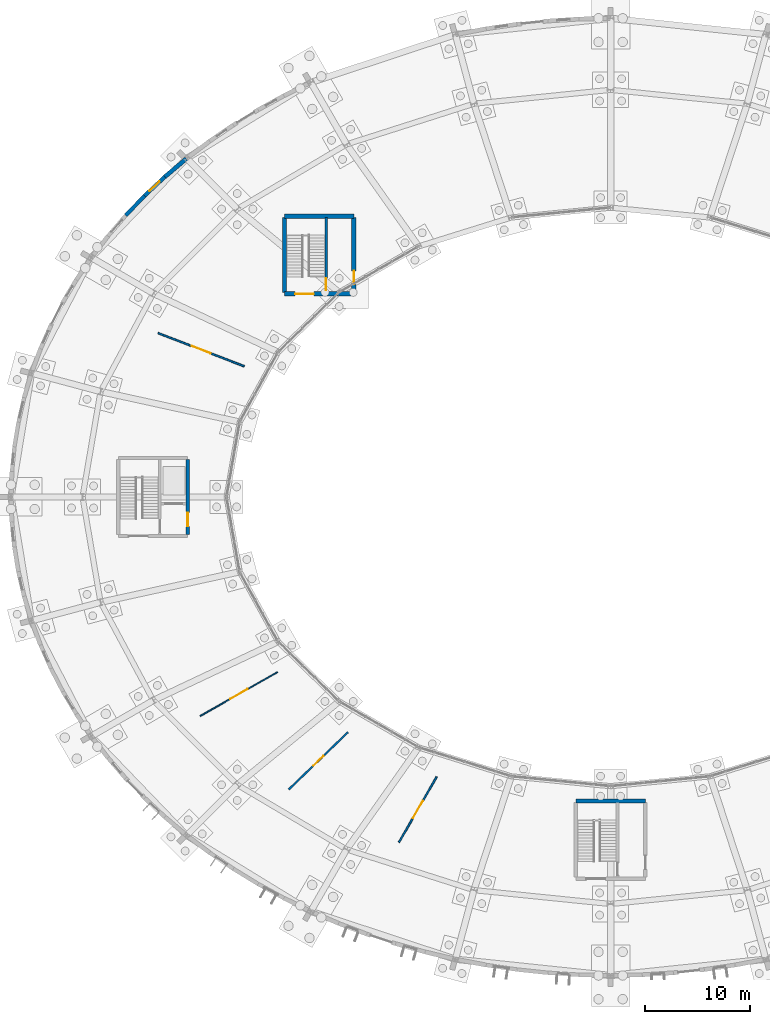
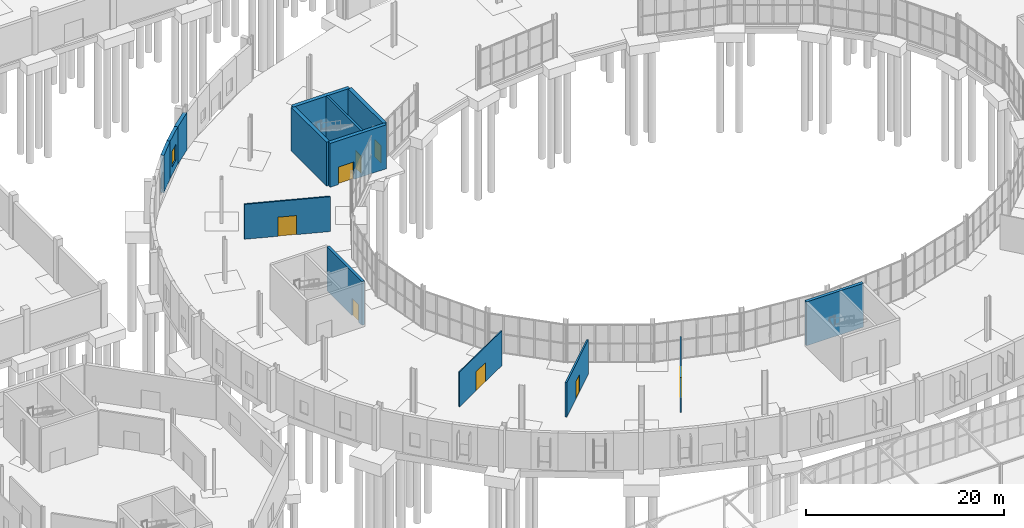
# One storey, part 89 of 118: 14 walls, 8 doors, 1 window, 9 openings.
"""IFC4 building model written with IfcOpenShell, lengths in metres."""

from ifc_helpers import new_model, si_unit, direction, frame, frame_2d, origin, place, context, subcontext, project, spatial, rectangle, extrude, material, layer, layer_set, type_object, element, fill, save


model = new_model("IFC4")

# Units and contexts
model_context = context("Model", 3, precision=1e-05, world=origin(), true_north=direction((0.0, 1.0)))
body_context = subcontext(model_context, "Body", "Model", "MODEL_VIEW")
ifc_project = project(units=[si_unit("LENGTHUNIT", "METRE"), si_unit("AREAUNIT", "SQUARE_METRE"), si_unit("VOLUMEUNIT", "CUBIC_METRE"), si_unit("PLANEANGLEUNIT", "RADIAN"), si_unit("MASSUNIT", "GRAM", prefix="KILO")], contexts=[model_context])

# Site, building, storey
site_placement = place(None, origin())
site = spatial("IfcSite", under=ifc_project, at=site_placement, CompositionType="ELEMENT")
building_placement = place(site_placement, origin())
building = spatial("IfcBuilding", under=site, at=building_placement, Name="Kildeholm Park Wholesale Market", CompositionType="ELEMENT")
storey_placement = place(building_placement, origin())
storey = spatial("IfcBuildingStorey", under=building, at=storey_placement, Name="L00", CompositionType="ELEMENT", Elevation=0.0)

# Wall, opening, window
ifc_material_1 = material(Name="Red Danish clinker brick masonry with Concrete C35/45 backing", Category="masonry")
ifc_layer_1 = layer(ifc_material_1, 0.360107421875)
ifc_layer_set_1 = layer_set([ifc_layer_1], Name="Red Danish clinker brick masonry with Concrete C35/45 backing")
wall_type_1 = type_object("IfcWallType", Name="Exterior wall W-EX1 360 mm", PredefinedType="SOLIDWALL", material=ifc_layer_set_1)
wall_1_placement = place(storey_placement, frame((56.6220703125, 119.928955078125, 0.0), z_axis=(0.0, 0.0, 1.0), x_axis=(-0.730238623616, -0.683192178366, 0.0)))
wall_1 = element("IfcWall", 1, at=wall_1_placement, inside=storey, type_object=wall_type_1, Name="Produce ring outer wall 10.2 WL-0073", PredefinedType="SOLIDWALL", context=body_context, shape_type="SweptSolid", body=[
    extrude(rectangle(XDim=2.63623046875, YDim=0.360107421875, at=frame_2d((1.318115234375, 0.0))), origin(), (0.0, 0.0, 1.0), 4.60009765625),
])
opening_1_placement = place(wall_1_placement, frame((0.66796875, 0.0, 0.949951171875)))
opening_1 = element("IfcOpeningElement", 2, at=opening_1_placement, cuts=wall_1, Name="Opening WN-20", PredefinedType="OPENING", context=body_context, shape_type="SweptSolid", body=[
    extrude(rectangle(XDim=1.300048828125, YDim=1.949951171875, at=frame_2d((0.64990234375, 0.97509765625))), frame((0.0, 0.18994140625, 0.0), z_axis=(0.0, -1.0, 0.0), x_axis=(1.0, 0.0, 0.0)), (0.0, 0.0, 1.0), 0.380126953125),
])
ifc_material_2 = material(Name="Thermally broken aluminium and triple-glazed low-E glass", Category="aluminium")
window_type = type_object("IfcWindowType", Name="Window WN-20 1300x1950", PartitioningType="DOUBLE_PANEL_VERTICAL", PredefinedType="WINDOW", material=ifc_material_2)
window_placement = place(opening_1_placement, origin())
window = element("IfcWindow", 3, at=window_placement, inside=storey, type_object=window_type, Name="Produce hall arcade window 10.1 WIN-0015", OverallHeight=1.949951171875, OverallWidth=1.300048828125, PartitioningType="SINGLE_PANEL", PredefinedType="WINDOW", context=body_context, shape_type="SweptSolid", body=[
    extrude(rectangle(XDim=1.300048828125, YDim=1.949951171875, at=frame_2d((0.64990234375, 0.97509765625))), frame((0.0, 0.030029296875, 0.0), z_axis=(0.0, -1.0, 0.0), x_axis=(1.0, 0.0, 0.0)), (0.0, 0.0, 1.0), 0.06005859375),
])
fill(opening_1, window)

# Walls
wall_2_placement = place(storey_placement, frame((54.697021484375, 118.1279296875, 0.0), z_axis=(0.0, 0.0, 1.0), x_axis=(-0.693149914462, -0.720793448972, 0.0)))
element("IfcWall", 4, at=wall_2_placement, inside=storey, type_object=wall_type_1, Name="Produce ring outer wall 10.3 WL-0074", PredefinedType="SOLIDWALL", context=body_context, shape_type="SweptSolid", body=[
    extrude(rectangle(XDim=2.60546875, YDim=0.360107421875, at=frame_2d((1.302734375, 0.0))), origin(), (0.0, 0.0, 1.0), 4.60009765625),
])
ifc_material_3 = material(Name="Bornholm granite stone plinth and Concrete C35/45 wall", Category="masonry")
ifc_layer_2 = layer(ifc_material_3, 0.39990234375)
ifc_layer_set_2 = layer_set([ifc_layer_2], Name="Bornholm granite stone plinth and Concrete C35/45 wall")
wall_type_2 = type_object("IfcWallType", Name="Exterior wall W-EX2 400 mm", PredefinedType="SOLIDWALL", material=ifc_layer_set_2)
wall_3_placement = place(storey_placement, frame((58.6630859375, 121.64794921875, 0.0), z_axis=(0.0, 0.0, 1.0), x_axis=(-0.76486611794, -0.644189274691, 0.0)))
element("IfcWall", 5, at=wall_3_placement, inside=storey, type_object=wall_type_2, Name="Produce ring outer wall 10.1 WL-0072", PredefinedType="SOLIDWALL", context=body_context, shape_type="SweptSolid", body=[
    extrude(rectangle(XDim=2.66845703125, YDim=0.39990234375, at=frame_2d((1.334228515625, 0.0))), origin(), (0.0, 0.0, 1.0), 4.60009765625),
])

# Wall, opening, door
ifc_material_4 = material(Name="Hygienic ceramic-tiled wet fish stall partition")
ifc_layer_3 = layer(ifc_material_4, 0.1650390625)
ifc_layer_set_3 = layer_set([ifc_layer_3], Name="Hygienic ceramic-tiled wet fish stall partition")
wall_type_3 = type_object("IfcWallType", Name="Partition W-PT05 165 mm", PredefinedType="PARTITIONING", material=ifc_layer_set_3)
wall_4_placement = place(storey_placement, frame((64.169921875, 101.91796875, 0.0), z_axis=(0.0, 0.0, 1.0), x_axis=(-0.933238808021, 0.359256631399, 0.0)))
wall_4 = element("IfcWall", 6, at=wall_4_placement, inside=storey, type_object=wall_type_3, Name="Interior partition W-V1-ST0-10 WL-0939", PredefinedType="PARTITIONING", context=body_context, shape_type="SweptSolid", body=[
    extrude(rectangle(XDim=8.7822265625, YDim=0.1650390625, at=frame_2d((4.39111328125, 0.0))), origin(), (0.0, 0.0, 1.0), 4.300048828125),
])
opening_2_placement = place(wall_4_placement, frame((3.44091796875, 0.0, 0.0)))
opening_2 = element("IfcOpeningElement", 7, at=opening_2_placement, cuts=wall_4, Name="Opening D-IN09", PredefinedType="OPENING", context=body_context, shape_type="SweptSolid", body=[
    extrude(rectangle(XDim=1.89990234375, YDim=2.35009765625, at=frame_2d((0.949951171875, 1.175048828125))), frame((0.0, 0.092529296875, 0.0), z_axis=(0.0, -1.0, 0.0), x_axis=(1.0, 0.0, 0.0)), (0.0, 0.0, 1.0), 0.18505859375),
])
ifc_material_5 = material(Name="Wide trolley concourse double doorset")
door_type_1 = type_object("IfcDoorType", Name="Interior door D-IN09 1900x2350", OperationType="NOTDEFINED", PredefinedType="DOOR", material=ifc_material_5)
door_1_placement = place(opening_2_placement, origin())
door_1 = element("IfcDoor", 8, at=door_1_placement, inside=storey, type_object=door_type_1, Name="Interior door V1-ST0-10 DR-0214 WL-0939", OperationType="DOUBLE_DOOR_SINGLE_SWING", OverallHeight=2.35009765625, OverallWidth=1.89990234375, PredefinedType="DOOR", context=body_context, shape_type="SweptSolid", body=[
    extrude(rectangle(XDim=1.89990234375, YDim=2.35009765625, at=frame_2d((0.949951171875, 1.175048828125))), frame((0.0, 0.02490234375, 0.0), z_axis=(0.0, -1.0, 0.0), x_axis=(1.0, 0.0, 0.0)), (0.0, 0.0, 1.0), 0.050048828125),
])
fill(opening_2, door_1)

wall_5_placement = place(storey_placement, frame((82.468994140625, 62.89892578125, 0.0), z_axis=(0.0, 0.0, 1.0), x_axis=(-0.499109384588, -0.866538990592, 0.0)))
wall_5 = element("IfcWall", 9, at=wall_5_placement, inside=storey, type_object=wall_type_3, Name="Interior partition W-V1-ST0-16 WL-0947", PredefinedType="PARTITIONING", context=body_context, shape_type="SweptSolid", body=[
    extrude(rectangle(XDim=7.206787109375, YDim=0.1650390625, at=frame_2d((3.603515625, 0.0))), origin(), (0.0, 0.0, 1.0), 4.300048828125),
])
opening_3_placement = place(wall_5_placement, frame((2.653076171875, 0.0, 0.0)))
opening_3 = element("IfcOpeningElement", 10, at=opening_3_placement, cuts=wall_5, Name="Opening D-IN09", PredefinedType="OPENING", context=body_context, shape_type="SweptSolid", body=[
    extrude(rectangle(XDim=1.89990234375, YDim=2.35009765625, at=frame_2d((0.949951171875, 1.175048828125))), frame((0.0, 0.092529296875, 0.0), z_axis=(0.0, -1.0, 0.0), x_axis=(1.0, 0.0, 0.0)), (0.0, 0.0, 1.0), 0.18505859375),
])
door_2_placement = place(opening_3_placement, origin())
door_2 = element("IfcDoor", 11, at=door_2_placement, inside=storey, type_object=door_type_1, Name="Interior door V1-ST0-16 DR-0222 WL-0947", OperationType="DOUBLE_DOOR_SINGLE_SWING", OverallHeight=2.35009765625, OverallWidth=1.89990234375, PredefinedType="DOOR", context=body_context, shape_type="SweptSolid", body=[
    extrude(rectangle(XDim=1.89990234375, YDim=2.35009765625, at=frame_2d((0.949951171875, 1.175048828125))), frame((0.0, 0.02490234375, 0.0), z_axis=(0.0, -1.0, 0.0), x_axis=(1.0, 0.0, 0.0)), (0.0, 0.0, 1.0), 0.050048828125),
])
fill(opening_3, door_2)

ifc_material_6 = material(Name="Masonry market stall division wall", Category="masonry")
ifc_layer_4 = layer(ifc_material_6, 0.179931640625)
ifc_layer_set_4 = layer_set([ifc_layer_4], Name="Masonry market stall division wall")
wall_type_4 = type_object("IfcWallType", Name="Partition W-PT06 180 mm", PredefinedType="PARTITIONING", material=ifc_layer_set_4)
wall_6_placement = place(storey_placement, frame((74.028076171875, 67.126953125, 0.0), z_axis=(0.0, 0.0, 1.0), x_axis=(-0.718851460144, -0.695163706078, 0.0)))
wall_6 = element("IfcWall", 12, at=wall_6_placement, inside=storey, type_object=wall_type_4, Name="Interior partition W-V1-ST0-15 WL-0944", PredefinedType="PARTITIONING", context=body_context, shape_type="SweptSolid", body=[
    extrude(rectangle(XDim=7.8125, YDim=0.179931640625, at=frame_2d((3.90625, 0.0))), origin(), (0.0, 0.0, 1.0), 4.300048828125),
])
opening_4_placement = place(wall_6_placement, frame((3.23095703125, 0.0, 0.0)))
opening_4 = element("IfcOpeningElement", 13, at=opening_4_placement, cuts=wall_6, Name="Opening D-IN07", PredefinedType="OPENING", context=body_context, shape_type="SweptSolid", body=[
    extrude(rectangle(XDim=1.35009765625, YDim=2.199951171875, at=frame_2d((0.675048828125, 1.10009765625))), frame((0.0, 0.099853515625, 0.0), z_axis=(0.0, -1.0, 0.0), x_axis=(1.0, 0.0, 0.0)), (0.0, 0.0, 1.0), 0.199951171875),
])
ifc_material_7 = material(Name="Wholesale stall service doorset")
door_type_2 = type_object("IfcDoorType", Name="Interior door D-IN07 1350x2200", OperationType="NOTDEFINED", PredefinedType="DOOR", material=ifc_material_7)
door_3_placement = place(opening_4_placement, origin())
door_3 = element("IfcDoor", 14, at=door_3_placement, inside=storey, type_object=door_type_2, Name="Interior door V1-ST0-15 DR-0219 WL-0944", OperationType="SINGLE_SWING_LEFT", OverallHeight=2.199951171875, OverallWidth=1.35009765625, PredefinedType="DOOR", context=body_context, shape_type="SweptSolid", body=[
    extrude(rectangle(XDim=1.35009765625, YDim=2.199951171875, at=frame_2d((0.675048828125, 1.10009765625))), frame((0.0, 0.02490234375, 0.0), z_axis=(0.0, -1.0, 0.0), x_axis=(1.0, 0.0, 0.0)), (0.0, 0.0, 1.0), 0.050048828125),
])
fill(opening_4, door_3)

ifc_material_8 = material(Name="Lightweight buyers booth acoustic partition")
ifc_layer_5 = layer(ifc_material_8, 0.110107421875)
ifc_layer_set_5 = layer_set([ifc_layer_5], Name="Lightweight buyers booth acoustic partition")
wall_type_5 = type_object("IfcWallType", Name="Partition W-PT14 110 mm", PredefinedType="PARTITIONING", material=ifc_layer_set_5)
wall_7_placement = place(storey_placement, frame((67.3330078125, 72.841064453125, 0.0), z_axis=(0.0, 0.0, 1.0), x_axis=(-0.869564093622, -0.493820095869, 0.0)))
wall_7 = element("IfcWall", 15, at=wall_7_placement, inside=storey, type_object=wall_type_5, Name="Interior partition W-V1-ST0-14 WL-0942", PredefinedType="PARTITIONING", context=body_context, shape_type="SweptSolid", body=[
    extrude(rectangle(XDim=8.442138671875, YDim=0.110107421875, at=frame_2d((4.22119140625, 0.0))), origin(), (0.0, 0.0, 1.0), 4.300048828125),
])
opening_5_placement = place(wall_7_placement, frame((3.27099609375, 0.0, 0.0)))
opening_5 = element("IfcOpeningElement", 16, at=opening_5_placement, cuts=wall_7, Name="Opening D-IN09", PredefinedType="OPENING", context=body_context, shape_type="SweptSolid", body=[
    extrude(rectangle(XDim=1.89990234375, YDim=2.35009765625, at=frame_2d((0.949951171875, 1.175048828125))), frame((0.0, 0.06494140625, 0.0), z_axis=(0.0, -1.0, 0.0), x_axis=(1.0, 0.0, 0.0)), (0.0, 0.0, 1.0), 0.130126953125),
])
door_4_placement = place(opening_5_placement, origin())
door_4 = element("IfcDoor", 17, at=door_4_placement, inside=storey, type_object=door_type_1, Name="Interior door V1-ST0-14 DR-0217 WL-0942", OperationType="DOUBLE_DOOR_SINGLE_SWING", OverallHeight=2.35009765625, OverallWidth=1.89990234375, PredefinedType="DOOR", context=body_context, shape_type="SweptSolid", body=[
    extrude(rectangle(XDim=1.89990234375, YDim=2.35009765625, at=frame_2d((0.949951171875, 1.175048828125))), frame((0.0, 0.02490234375, 0.0), z_axis=(0.0, -1.0, 0.0), x_axis=(1.0, 0.0, 0.0)), (0.0, 0.0, 1.0), 0.050048828125),
])
fill(opening_5, door_4)

ifc_material_9 = material(Name="Concrete C40/50", Category="concrete")
ifc_layer_6 = layer(ifc_material_9, 0.300048828125)
ifc_layer_set_6 = layer_set([ifc_layer_6], Name="Concrete C40/50")
wall_type_6 = type_object("IfcWallType", Name="Shear wall W-SH1 300 mm", PredefinedType="SHEAR", material=ifc_layer_set_6)
wall_8_placement = place(storey_placement, frame((58.800048828125, 85.949951171875, 0.0), z_axis=(0.0, 0.0, 1.0), x_axis=(0.0, 1.0, 0.0)))
wall_8 = element("IfcWall", 18, at=wall_8_placement, inside=storey, type_object=wall_type_6, Name="Core C09 east shear wall L00 WL-0813", PredefinedType="SHEAR", context=body_context, shape_type="SweptSolid", body=[
    extrude(rectangle(XDim=7.10009765625, YDim=0.300048828125, at=frame_2d((3.550048828125, 0.0))), origin(), (0.0, 0.0, 1.0), 5.39990234375),
])
opening_6_placement = place(wall_8_placement, frame((0.75, 0.0, 0.0)))
opening_6 = element("IfcOpeningElement", 19, at=opening_6_placement, cuts=wall_8, Name="Opening D-CR02", PredefinedType="OPENING", context=body_context, shape_type="SweptSolid", body=[
    extrude(rectangle(XDim=1.300048828125, YDim=2.14990234375, at=frame_2d((0.64990234375, 1.074951171875))), frame((0.0, 0.159912109375, 0.0), z_axis=(0.0, -1.0, 0.0), x_axis=(1.0, 0.0, 0.0)), (0.0, 0.0, 1.0), 0.320068359375),
])
ifc_material_10 = material(Name="Painted steel core lobby double-leaf doorset", Category="steel")
door_type_3 = type_object("IfcDoorType", Name="Interior door D-CR02 1300x2150", OperationType="NOTDEFINED", PredefinedType="DOOR", material=ifc_material_10)
door_5_placement = place(opening_6_placement, frame((1.300048828125, 0.0, 0.0), z_axis=(0.0, 0.0, 1.0), x_axis=(-1.0, 0.0, 0.0)))
door_5 = element("IfcDoor", 20, at=door_5_placement, inside=storey, type_object=door_type_3, Name="Core C09 lobby entrance door L00 DR-0156 WL-0813", OperationType="DOUBLE_DOOR_SINGLE_SWING", OverallHeight=2.14990234375, OverallWidth=1.300048828125, PredefinedType="DOOR", context=body_context, shape_type="SweptSolid", body=[
    extrude(rectangle(XDim=1.300048828125, YDim=2.14990234375, at=frame_2d((0.64990234375, 1.074951171875))), frame((0.0, 0.02490234375, 0.0), z_axis=(0.0, -1.0, 0.0), x_axis=(1.0, 0.0, 0.0)), (0.0, 0.0, 1.0), 0.050048828125),
])
fill(opening_6, door_5)

ifc_layer_7 = layer(ifc_material_9, 0.25)
ifc_layer_set_7 = layer_set([ifc_layer_7], Name="Concrete C40/50")
wall_type_7 = type_object("IfcWallType", Name="Shear wall W-SH2 250 mm", PredefinedType="SHEAR", material=ifc_layer_set_7)
wall_9_placement = place(storey_placement, frame((71.949951171875, 108.949951171875, 0.0), z_axis=(0.0, 0.0, 1.0), x_axis=(0.0, 1.0, 0.0)))
wall_9 = element("IfcWall", 21, at=wall_9_placement, inside=storey, type_object=wall_type_7, Name="Core C11 shaft wall L00 WL-0847", PredefinedType="SHEAR", context=body_context, shape_type="SweptSolid", body=[
    extrude(rectangle(XDim=7.10009765625, YDim=0.25, at=frame_2d((3.550048828125, 0.0))), origin(), (0.0, 0.0, 1.0), 5.39990234375),
])
opening_7_placement = place(wall_9_placement, frame((0.199951171875, 0.0, 0.0)))
opening_7 = element("IfcOpeningElement", 22, at=opening_7_placement, cuts=wall_9, Name="Opening D-CR01", PredefinedType="OPENING", context=body_context, shape_type="SweptSolid", body=[
    extrude(rectangle(XDim=1.14990234375, YDim=2.14990234375, at=frame_2d((0.574951171875, 1.074951171875))), frame((0.0, 0.135009765625, 0.0), z_axis=(0.0, -1.0, 0.0), x_axis=(1.0, 0.0, 0.0)), (0.0, 0.0, 1.0), 0.27001953125),
])
ifc_material_11 = material(Name="Painted steel fire escape doorset", Category="steel")
door_type_4 = type_object("IfcDoorType", Name="Interior door D-CR01 1150x2150", OperationType="NOTDEFINED", PredefinedType="DOOR", material=ifc_material_11)
door_6_placement = place(opening_7_placement, origin())
door_6 = element("IfcDoor", 23, at=door_6_placement, inside=storey, type_object=door_type_4, Name="Core C11 stair fire door L00 DR-0174 WL-0847", OperationType="SINGLE_SWING_RIGHT", OverallHeight=2.14990234375, OverallWidth=1.14990234375, PredefinedType="DOOR", context=body_context, shape_type="SweptSolid", body=[
    extrude(rectangle(XDim=1.14990234375, YDim=2.14990234375, at=frame_2d((0.574951171875, 1.074951171875))), frame((0.0, 0.02490234375, 0.0), z_axis=(0.0, -1.0, 0.0), x_axis=(1.0, 0.0, 0.0)), (0.0, 0.0, 1.0), 0.050048828125),
])
fill(opening_7, door_6)

# Wall
ifc_layer_8 = layer(ifc_material_9, 0.35009765625)
ifc_layer_set_8 = layer_set([ifc_layer_8], Name="Concrete C40/50")
wall_type_8 = type_object("IfcWallType", Name="Shear wall W-SH3 350 mm", PredefinedType="SHEAR", material=ifc_layer_set_8)
wall_10_placement = place(storey_placement, frame((95.699951171875, 60.60009765625, 0.0), z_axis=(0.0, 0.0, 1.0), x_axis=(1.0, 0.0, 0.0)))
element("IfcWall", 24, at=wall_10_placement, inside=storey, type_object=wall_type_8, Name="Core C10 north shear wall L00 WL-0829", PredefinedType="SHEAR", context=body_context, shape_type="SweptSolid", body=[
    extrude(rectangle(XDim=6.60009765625, YDim=0.35009765625, at=frame_2d((3.300048828125, 0.0))), origin(), (0.0, 0.0, 1.0), 5.39990234375),
])

# Wall, opening, door
ifc_layer_9 = layer(ifc_material_9, 0.419921875)
ifc_layer_set_9 = layer_set([ifc_layer_9], Name="Concrete C40/50")
wall_type_9 = type_object("IfcWallType", Name="Shear wall W-SH4 420 mm", PredefinedType="SHEAR", material=ifc_layer_set_9)
wall_11_placement = place(storey_placement, frame((68.0, 108.800048828125, 0.0), z_axis=(0.0, 0.0, 1.0), x_axis=(1.0, 0.0, 0.0)))
wall_11 = element("IfcWall", 25, at=wall_11_placement, inside=storey, type_object=wall_type_9, Name="Core C11 south shear wall L00 WL-0843", PredefinedType="SHEAR", context=body_context, shape_type="SweptSolid", body=[
    extrude(rectangle(XDim=6.60009765625, YDim=0.419921875, at=frame_2d((3.300048828125, 0.0))), origin(), (0.0, 0.0, 1.0), 5.39990234375),
])
opening_8_placement = place(wall_11_placement, frame((1.0, 0.0, 0.0)))
opening_8 = element("IfcOpeningElement", 26, at=opening_8_placement, cuts=wall_11, Name="Opening D-EX05", PredefinedType="OPENING", context=body_context, shape_type="SweptSolid", body=[
    extrude(rectangle(XDim=1.800048828125, YDim=2.14990234375, at=frame_2d((0.89990234375, 1.074951171875))), frame((0.0, 0.219970703125, 0.0), z_axis=(0.0, -1.0, 0.0), x_axis=(1.0, 0.0, 0.0)), (0.0, 0.0, 1.0), 0.43994140625),
])
ifc_material_12 = material(Name="Painted galvanized steel escape doorset", Category="steel")
door_type_5 = type_object("IfcDoorType", Name="Exterior door D-EX05 1800x2150", OperationType="NOTDEFINED", PredefinedType="DOOR", material=ifc_material_12)
door_7_placement = place(opening_8_placement, frame((1.800048828125, 0.0, 0.0), z_axis=(0.0, 0.0, 1.0), x_axis=(-1.0, 0.0, 0.0)))
door_7 = element("IfcDoor", 27, at=door_7_placement, inside=storey, type_object=door_type_5, Name="Core C11 grade stair discharge door DR-0175 WL-0843", OperationType="DOUBLE_DOOR_SINGLE_SWING", OverallHeight=2.14990234375, OverallWidth=1.800048828125, PredefinedType="DOOR", context=body_context, shape_type="SweptSolid", body=[
    extrude(rectangle(XDim=1.800048828125, YDim=2.14990234375, at=frame_2d((0.89990234375, 1.074951171875))), frame((0.0, 0.02490234375, 0.0), z_axis=(0.0, -1.0, 0.0), x_axis=(1.0, 0.0, 0.0)), (0.0, 0.0, 1.0), 0.050048828125),
])
fill(opening_8, door_7)

# Walls
wall_12_placement = place(storey_placement, frame((68.0, 116.199951171875, 0.0), z_axis=(0.0, 0.0, 1.0), x_axis=(1.0, 0.0, 0.0)))
element("IfcWall", 28, at=wall_12_placement, inside=storey, type_object=wall_type_9, Name="Core C11 north shear wall L00 WL-0844", PredefinedType="SHEAR", context=body_context, shape_type="SweptSolid", body=[
    extrude(rectangle(XDim=6.60009765625, YDim=0.419921875, at=frame_2d((3.300048828125, 0.0))), origin(), (0.0, 0.0, 1.0), 5.39990234375),
])
wall_13_placement = place(storey_placement, frame((68.0, 108.949951171875, 0.0), z_axis=(0.0, 0.0, 1.0), x_axis=(0.0, 1.0, 0.0)))
element("IfcWall", 29, at=wall_13_placement, inside=storey, type_object=wall_type_9, Name="Core C11 west shear wall L00 WL-0845", PredefinedType="SHEAR", context=body_context, shape_type="SweptSolid", body=[
    extrude(rectangle(XDim=7.10009765625, YDim=0.419921875, at=frame_2d((3.550048828125, 0.0))), origin(), (0.0, 0.0, 1.0), 5.39990234375),
])

# Wall, opening, door
wall_14_placement = place(storey_placement, frame((74.60009765625, 108.949951171875, 0.0), z_axis=(0.0, 0.0, 1.0), x_axis=(0.0, 1.0, 0.0)))
wall_14 = element("IfcWall", 30, at=wall_14_placement, inside=storey, type_object=wall_type_9, Name="Core C11 east shear wall L00 WL-0846", PredefinedType="SHEAR", context=body_context, shape_type="SweptSolid", body=[
    extrude(rectangle(XDim=7.10009765625, YDim=0.419921875, at=frame_2d((3.550048828125, 0.0))), origin(), (0.0, 0.0, 1.0), 5.39990234375),
])
opening_9_placement = place(wall_14_placement, frame((0.75, 0.0, 0.0)))
opening_9 = element("IfcOpeningElement", 31, at=opening_9_placement, cuts=wall_14, Name="Opening D-CR02", PredefinedType="OPENING", context=body_context, shape_type="SweptSolid", body=[
    extrude(rectangle(XDim=1.300048828125, YDim=2.14990234375, at=frame_2d((0.64990234375, 1.074951171875))), frame((0.0, 0.219970703125, 0.0), z_axis=(0.0, -1.0, 0.0), x_axis=(1.0, 0.0, 0.0)), (0.0, 0.0, 1.0), 0.43994140625),
])
door_8_placement = place(opening_9_placement, frame((1.300048828125, 0.0, 0.0), z_axis=(0.0, 0.0, 1.0), x_axis=(-1.0, 0.0, 0.0)))
door_8 = element("IfcDoor", 32, at=door_8_placement, inside=storey, type_object=door_type_3, Name="Core C11 lobby entrance door L00 DR-0173 WL-0846", OperationType="DOUBLE_DOOR_SINGLE_SWING", OverallHeight=2.14990234375, OverallWidth=1.300048828125, PredefinedType="DOOR", context=body_context, shape_type="SweptSolid", body=[
    extrude(rectangle(XDim=1.300048828125, YDim=2.14990234375, at=frame_2d((0.64990234375, 1.074951171875))), frame((0.0, 0.02490234375, 0.0), z_axis=(0.0, -1.0, 0.0), x_axis=(1.0, 0.0, 0.0)), (0.0, 0.0, 1.0), 0.050048828125),
])
fill(opening_9, door_8)

save(model, "model.ifc")
